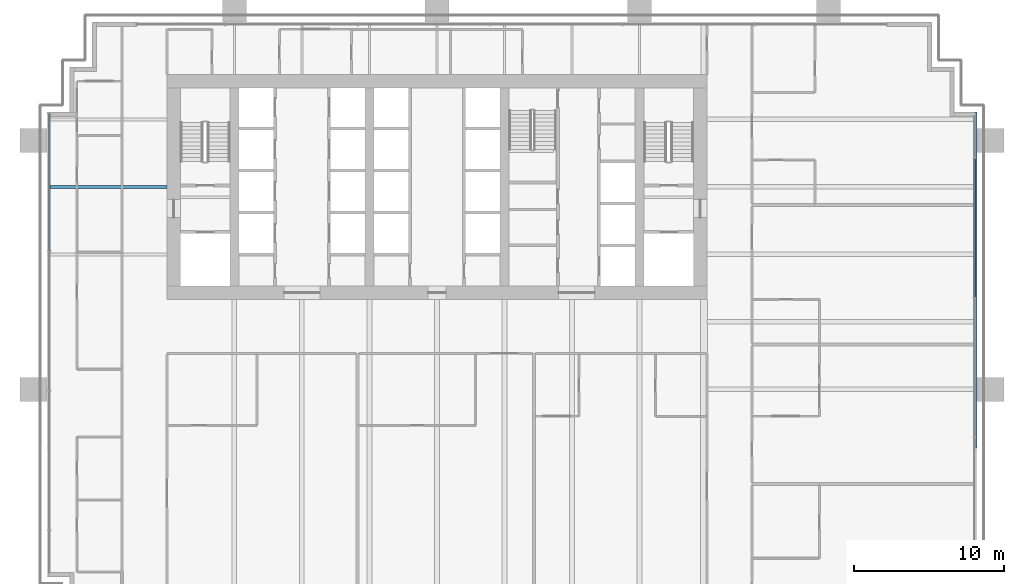
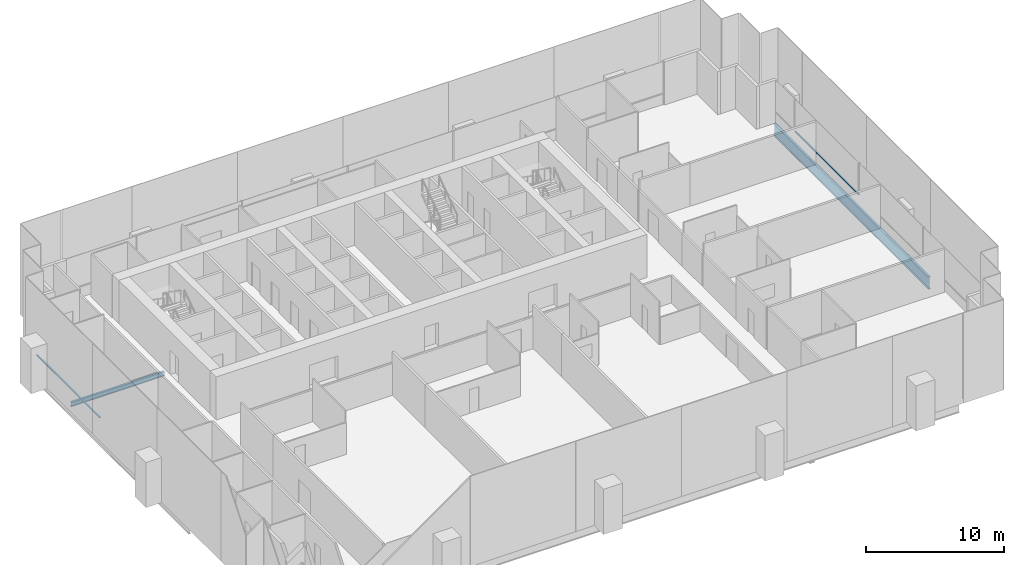
# One storey, part 7 of 19: 2 beams, 2 members, 2 elements without a shape of their own.
"""IFC4 building model written with IfcOpenShell, lengths in metres."""

from ifc_helpers import new_model, si_unit, direction, frame, origin, origin_2d, place, context, subcontext, project, spatial, rectangle, i_section, extrude, material, material_profile, profile_set, type_object, element, aggregate, save


model = new_model("IFC4")

# Units and contexts
model_context = context("Model", 3, precision=1e-05, world=origin(), true_north=direction((0.0, 1.0)))
body_context = subcontext(model_context, "Body", "Model", "MODEL_VIEW")
ifc_project = project(units=[si_unit("LENGTHUNIT", "METRE"), si_unit("AREAUNIT", "SQUARE_METRE"), si_unit("VOLUMEUNIT", "CUBIC_METRE"), si_unit("PLANEANGLEUNIT", "RADIAN"), si_unit("MASSUNIT", "GRAM", prefix="KILO")], contexts=[model_context])

# Site, building, storey
site_placement = place(None, origin())
site = spatial("IfcSite", under=ifc_project, at=site_placement, CompositionType="ELEMENT")
building_placement = place(site_placement, origin())
building = spatial("IfcBuilding", under=site, at=building_placement, Name="Rattan Terrace Tower", CompositionType="ELEMENT")
storey_placement = place(building_placement, frame((0.0, 0.0, 103.699951171875)))
storey = spatial("IfcBuildingStorey", under=building, at=storey_placement, Name="L23", CompositionType="ELEMENT", Elevation=103.699951171875)

# Curtain wall, member
ifc_material_1 = material(Name="Aluminium and glass", Category="aluminium")
curtain_wall_type = type_object("IfcCurtainWallType", Name="Facade Unitised Curtain Wall", PredefinedType="NOTDEFINED", material=ifc_material_1)
curtain_wall_1_placement = place(storey_placement, origin())
curtain_wall_1 = element("IfcCurtainWall", 1, at=curtain_wall_1_placement, inside=storey, type_object=curtain_wall_type, Name="Curtain wall L23-1", PredefinedType="NOTDEFINED")
ifc_material_2 = material(Name="Aluminium", Category="aluminium")
ifc_material_profile_1 = material_profile(ifc_material_2, rectangle(XDim=0.1201171875, YDim=0.06005859375, at=origin_2d()), Name="Aluminium 120x60")
ifc_profile_set_1 = profile_set([ifc_material_profile_1], Name="Aluminium")
member_type = type_object("IfcMemberType", Name="Facade CW Transom 120x60", PredefinedType="USERDEFINED", material=ifc_profile_set_1)
member_1_placement = place(storey_placement, frame((35.830078125, -7.3701171875, 1.0), z_axis=(0.0, 1.0, 0.0), x_axis=(-1.0, 0.0, 0.0)))
member_1 = element("IfcMember", 2, at=member_1_placement, type_object=member_type, Name="Transom cwl-L23-001.3", ObjectType="TRANSOM", PredefinedType="USERDEFINED", context=body_context, shape_type="SweptSolid", body=[
    extrude(rectangle(XDim=0.1201171875, YDim=0.06005859375, at=origin_2d()), origin(), (0.0, 0.0, 1.0), 9.240234375),
])
aggregate(curtain_wall_1, [member_1])

curtain_wall_2_placement = place(storey_placement, origin())
curtain_wall_2 = element("IfcCurtainWall", 3, at=curtain_wall_2_placement, inside=storey, type_object=curtain_wall_type, Name="Curtain wall L23-3", PredefinedType="NOTDEFINED")
member_2_placement = place(storey_placement, frame((-25.830078125, 4.89501953125, 1.0), z_axis=(0.0, -1.0, 0.0), x_axis=(1.0, 0.0, 0.0)))
member_2 = element("IfcMember", 4, at=member_2_placement, type_object=member_type, Name="Transom cwl-L23-003.1", ObjectType="TRANSOM", PredefinedType="USERDEFINED", context=body_context, shape_type="SweptSolid", body=[
    extrude(rectangle(XDim=0.1201171875, YDim=0.06005859375, at=origin_2d()), origin(), (0.0, 0.0, 1.0), 9.1650390625),
])
aggregate(curtain_wall_2, [member_2])

# Beams
ifc_material_3 = material(Name="Steel S460", Category="steel")
ifc_material_profile_2 = material_profile(ifc_material_3, i_section(OverallWidth=0.179931640625, OverallDepth=1.10009765625, WebThickness=0.01611328125, FlangeThickness=0.050048828125, at=origin_2d()), Name="PG 1100x180-16-50")
ifc_profile_set_2 = profile_set([ifc_material_profile_2], Name="Steel S460")
beam_type_1 = type_object("IfcBeamType", Name="Frame edge girder PG 1100x180-16-50", PredefinedType="SPANDREL", material=ifc_profile_set_2)
beam_1_placement = place(storey_placement, frame((35.909912109375, 5.0, -0.75), z_axis=(0.0, -1.0, 0.0), x_axis=(1.0, 0.0, 0.0)))
element("IfcBeam", 5, at=beam_1_placement, inside=storey, type_object=beam_type_1, Name="gdr-L23-005", PredefinedType="SPANDREL", context=body_context, shape_type="SweptSolid", body=[
    extrude(i_section(OverallWidth=0.179931640625, OverallDepth=1.10009765625, WebThickness=0.01611328125, FlangeThickness=0.050048828125, at=origin_2d()), origin(), (0.0, 0.0, 1.0), 22.39990234375),
])
ifc_material_4 = material(Name="Steel S355", Category="steel")
ifc_material_profile_3 = material_profile(ifc_material_4, i_section(OverallWidth=0.179931640625, OverallDepth=0.39990234375, WebThickness=0.008544921875, FlangeThickness=0.013427734375, FilletRadius=0.02099609375, at=origin_2d()), Name="IPE 400")
ifc_profile_set_3 = profile_set([ifc_material_profile_3], Name="Steel S355")
beam_type_2 = type_object("IfcBeamType", Name="Frame floor beam IPE 400", PredefinedType="JOIST", material=ifc_profile_set_3)
beam_2_placement = place(storey_placement, frame((-25.820068359375, 0.0, -0.39990234375), z_axis=(1.0, 0.0, 0.0), x_axis=(0.0, 1.0, 0.0)))
element("IfcBeam", 6, at=beam_2_placement, inside=storey, type_object=beam_type_2, Name="bm-L23-014", PredefinedType="JOIST", context=body_context, shape_type="SweptSolid", body=[
    extrude(i_section(OverallWidth=0.179931640625, OverallDepth=0.39990234375, WebThickness=0.008544921875, FlangeThickness=0.013427734375, FilletRadius=0.02099609375, at=origin_2d()), origin(), (0.0, 0.0, 1.0), 7.820068359375),
])

save(model, "model.ifc")
